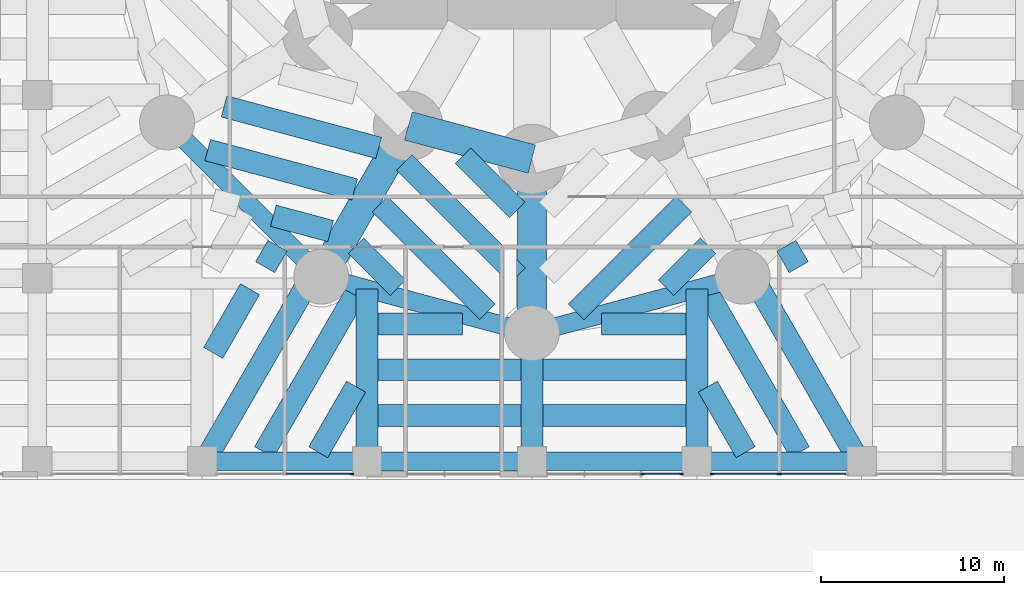
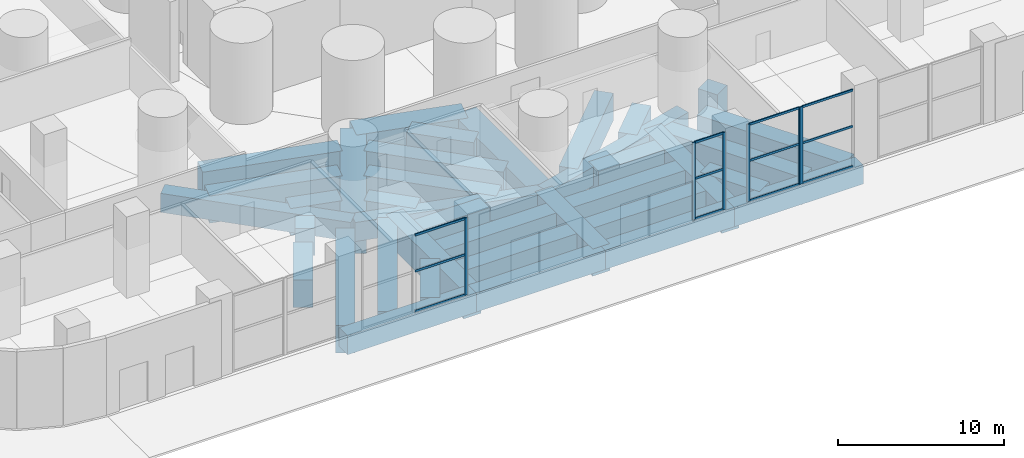
# One storey, part 4 of 20: 37 beams, 18 members, 4 elements without a shape of their own.
"""IFC4 building model written with IfcOpenShell, lengths in metres."""

from ifc_helpers import new_model, si_unit, direction, frame, origin, origin_2d, place, context, subcontext, project, spatial, rectangle, extrude, material, material_profile, profile_set, type_object, element, aggregate, save


model = new_model("IFC4")

# Units and contexts
model_context = context("Model", 3, precision=1e-05, world=origin(), true_north=direction((0.0, 1.0)))
body_context = subcontext(model_context, "Body", "Model", "MODEL_VIEW")
ifc_project = project(units=[si_unit("LENGTHUNIT", "METRE"), si_unit("AREAUNIT", "SQUARE_METRE"), si_unit("VOLUMEUNIT", "CUBIC_METRE"), si_unit("PLANEANGLEUNIT", "RADIAN"), si_unit("MASSUNIT", "GRAM", prefix="KILO")], contexts=[model_context])

# Site, building, storey
site_placement = place(None, origin())
site = spatial("IfcSite", under=ifc_project, at=site_placement, CompositionType="ELEMENT")
building_placement = place(site_placement, origin())
building = spatial("IfcBuilding", under=site, at=building_placement, Name="Qaws Media Tower", CompositionType="ELEMENT")
storey_placement = place(building_placement, origin())
storey = spatial("IfcBuildingStorey", under=building, at=storey_placement, Name="L00", CompositionType="ELEMENT", Elevation=0.0)

# Curtain wall, member
ifc_material_1 = material(Name="Aluminium and clear glass", Category="aluminium")
curtain_wall_type = type_object("IfcCurtainWallType", Name="Podium shopfront CW-P", PredefinedType="NOTDEFINED", material=ifc_material_1)
curtain_wall_1_placement = place(storey_placement, origin())
curtain_wall_1 = element("IfcCurtainWall", 1, at=curtain_wall_1_placement, inside=storey, type_object=curtain_wall_type, Name="CWP shopfront L00 S5", PredefinedType="NOTDEFINED")
ifc_material_2 = material(Name="Aluminium mullion", Category="aluminium")
ifc_material_profile_1 = material_profile(ifc_material_2, rectangle(XDim=0.080078125, YDim=0.199951171875, at=origin_2d()), Name="80x200")
ifc_profile_set_1 = profile_set([ifc_material_profile_1], Name="Aluminium mullion")
member_type_1 = type_object("IfcMemberType", Name="Curtain wall mullion 80x200", PredefinedType="MULLION", material=ifc_profile_set_1)
member_1_placement = place(storey_placement, frame((50.159912109375, 19.300048828125, 0.0), z_axis=(0.0, 0.0, 1.0), x_axis=(0.0, 1.0, 0.0)))
member_1 = element("IfcMember", 2, at=member_1_placement, type_object=member_type_1, Name="CWP mullion 2", PredefinedType="MULLION", context=body_context, shape_type="SweptSolid", body=[
    extrude(rectangle(XDim=0.080078125, YDim=0.199951171875, at=origin_2d()), origin(), (0.0, 0.0, 1.0), 5.699951171875),
])

# Curtain wall, members
curtain_wall_2_placement = place(storey_placement, origin())
curtain_wall_2 = element("IfcCurtainWall", 3, at=curtain_wall_2_placement, inside=storey, type_object=curtain_wall_type, Name="CWP shopfront L00 S7", PredefinedType="NOTDEFINED")
member_2_placement = place(storey_placement, frame((66.0400390625, 19.300048828125, 0.0), z_axis=(0.0, 0.0, 1.0), x_axis=(0.0, 1.0, 0.0)))
member_2 = element("IfcMember", 4, at=member_2_placement, type_object=member_type_1, Name="CWP mullion 1", PredefinedType="MULLION", context=body_context, shape_type="SweptSolid", body=[
    extrude(rectangle(XDim=0.080078125, YDim=0.199951171875, at=origin_2d()), origin(), (0.0, 0.0, 1.0), 5.699951171875),
])
member_3_placement = place(storey_placement, frame((68.159912109375, 19.300048828125, 0.0), z_axis=(0.0, 0.0, 1.0), x_axis=(0.0, 1.0, 0.0)))
member_3 = element("IfcMember", 5, at=member_3_placement, type_object=member_type_1, Name="CWP mullion 2", PredefinedType="MULLION", context=body_context, shape_type="SweptSolid", body=[
    extrude(rectangle(XDim=0.080078125, YDim=0.199951171875, at=origin_2d()), origin(), (0.0, 0.0, 1.0), 5.699951171875),
])

curtain_wall_3_placement = place(storey_placement, origin())
curtain_wall_3 = element("IfcCurtainWall", 6, at=curtain_wall_3_placement, inside=storey, type_object=curtain_wall_type, Name="CWP shopfront L00 S8", PredefinedType="NOTDEFINED")
member_4_placement = place(storey_placement, frame((69.840087890625, 19.300048828125, 0.0), z_axis=(0.0, 0.0, 1.0), x_axis=(0.0, 1.0, 0.0)))
member_4 = element("IfcMember", 7, at=member_4_placement, type_object=member_type_1, Name="CWP mullion 1", PredefinedType="MULLION", context=body_context, shape_type="SweptSolid", body=[
    extrude(rectangle(XDim=0.080078125, YDim=0.199951171875, at=origin_2d()), origin(), (0.0, 0.0, 1.0), 5.699951171875),
])
member_5_placement = place(storey_placement, frame((73.4599609375, 19.300048828125, 0.0), z_axis=(0.0, 0.0, 1.0), x_axis=(0.0, 1.0, 0.0)))
member_5 = element("IfcMember", 8, at=member_5_placement, type_object=member_type_1, Name="CWP mullion 2", PredefinedType="MULLION", context=body_context, shape_type="SweptSolid", body=[
    extrude(rectangle(XDim=0.080078125, YDim=0.199951171875, at=origin_2d()), origin(), (0.0, 0.0, 1.0), 5.699951171875),
])

# Curtain wall, member
curtain_wall_4_placement = place(storey_placement, origin())
curtain_wall_4 = element("IfcCurtainWall", 9, at=curtain_wall_4_placement, inside=storey, type_object=curtain_wall_type, Name="CWP shopfront L00 S9", PredefinedType="NOTDEFINED")
member_6_placement = place(storey_placement, frame((73.5400390625, 19.300048828125, 0.0), z_axis=(0.0, 0.0, 1.0), x_axis=(0.0, 1.0, 0.0)))
member_6 = element("IfcMember", 10, at=member_6_placement, type_object=member_type_1, Name="CWP mullion 1", PredefinedType="MULLION", context=body_context, shape_type="SweptSolid", body=[
    extrude(rectangle(XDim=0.080078125, YDim=0.199951171875, at=origin_2d()), origin(), (0.0, 0.0, 1.0), 5.699951171875),
])

# Member
ifc_material_3 = material(Name="Aluminium transom", Category="aluminium")
ifc_material_profile_2 = material_profile(ifc_material_3, rectangle(XDim=0.080078125, YDim=0.159912109375, at=origin_2d()), Name="80x160")
ifc_profile_set_2 = profile_set([ifc_material_profile_2], Name="Aluminium transom")
member_type_2 = type_object("IfcMemberType", Name="Curtain wall transom 80x160", PredefinedType="USERDEFINED", material=ifc_profile_set_2)
member_7_placement = place(storey_placement, frame((46.580078125, 19.300048828125, 0.0400390625), z_axis=(1.0, 0.0, 0.0), x_axis=(0.0, 1.0, 0.0)))
member_7 = element("IfcMember", 11, at=member_7_placement, type_object=member_type_2, Name="CWP transom 1.1", ObjectType="TRANSOM", PredefinedType="USERDEFINED", context=body_context, shape_type="SweptSolid", body=[
    extrude(rectangle(XDim=0.080078125, YDim=0.159912109375, at=origin_2d()), origin(), (0.0, 0.0, 1.0), 3.5400390625),
])

member_8_placement = place(storey_placement, frame((46.580078125, 19.300048828125, 3.0), z_axis=(1.0, 0.0, 0.0), x_axis=(0.0, 1.0, 0.0)))
member_8 = element("IfcMember", 12, at=member_8_placement, type_object=member_type_2, Name="CWP transom 1.2", ObjectType="TRANSOM", PredefinedType="USERDEFINED", context=body_context, shape_type="SweptSolid", body=[
    extrude(rectangle(XDim=0.080078125, YDim=0.159912109375, at=origin_2d()), origin(), (0.0, 0.0, 1.0), 3.5400390625),
])

member_9_placement = place(storey_placement, frame((46.580078125, 19.300048828125, 5.659912109375), z_axis=(1.0, 0.0, 0.0), x_axis=(0.0, 1.0, 0.0)))
member_9 = element("IfcMember", 13, at=member_9_placement, type_object=member_type_2, Name="CWP transom 1.3", ObjectType="TRANSOM", PredefinedType="USERDEFINED", context=body_context, shape_type="SweptSolid", body=[
    extrude(rectangle(XDim=0.080078125, YDim=0.159912109375, at=origin_2d()), origin(), (0.0, 0.0, 1.0), 3.5400390625),
])

aggregate(curtain_wall_1, [member_1, member_7, member_8, member_9])

member_10_placement = place(storey_placement, frame((66.080078125, 19.300048828125, 0.0400390625), z_axis=(1.0, 0.0, 0.0), x_axis=(0.0, 1.0, 0.0)))
member_10 = element("IfcMember", 14, at=member_10_placement, type_object=member_type_2, Name="CWP transom 1.1", ObjectType="TRANSOM", PredefinedType="USERDEFINED", context=body_context, shape_type="SweptSolid", body=[
    extrude(rectangle(XDim=0.080078125, YDim=0.159912109375, at=origin_2d()), origin(), (0.0, 0.0, 1.0), 2.0400390625),
])

member_11_placement = place(storey_placement, frame((66.080078125, 19.300048828125, 3.0), z_axis=(1.0, 0.0, 0.0), x_axis=(0.0, 1.0, 0.0)))
member_11 = element("IfcMember", 15, at=member_11_placement, type_object=member_type_2, Name="CWP transom 1.2", ObjectType="TRANSOM", PredefinedType="USERDEFINED", context=body_context, shape_type="SweptSolid", body=[
    extrude(rectangle(XDim=0.080078125, YDim=0.159912109375, at=origin_2d()), origin(), (0.0, 0.0, 1.0), 2.0400390625),
])

member_12_placement = place(storey_placement, frame((66.080078125, 19.300048828125, 5.659912109375), z_axis=(1.0, 0.0, 0.0), x_axis=(0.0, 1.0, 0.0)))
member_12 = element("IfcMember", 16, at=member_12_placement, type_object=member_type_2, Name="CWP transom 1.3", ObjectType="TRANSOM", PredefinedType="USERDEFINED", context=body_context, shape_type="SweptSolid", body=[
    extrude(rectangle(XDim=0.080078125, YDim=0.159912109375, at=origin_2d()), origin(), (0.0, 0.0, 1.0), 2.0400390625),
])

aggregate(curtain_wall_2, [member_2, member_3, member_10, member_11, member_12])

member_13_placement = place(storey_placement, frame((69.8798828125, 19.300048828125, 0.0400390625), z_axis=(1.0, 0.0, 0.0), x_axis=(0.0, 1.0, 0.0)))
member_13 = element("IfcMember", 17, at=member_13_placement, type_object=member_type_2, Name="CWP transom 1.1", ObjectType="TRANSOM", PredefinedType="USERDEFINED", context=body_context, shape_type="SweptSolid", body=[
    extrude(rectangle(XDim=0.080078125, YDim=0.159912109375, at=origin_2d()), origin(), (0.0, 0.0, 1.0), 3.5400390625),
])

member_14_placement = place(storey_placement, frame((69.8798828125, 19.300048828125, 3.0), z_axis=(1.0, 0.0, 0.0), x_axis=(0.0, 1.0, 0.0)))
member_14 = element("IfcMember", 18, at=member_14_placement, type_object=member_type_2, Name="CWP transom 1.2", ObjectType="TRANSOM", PredefinedType="USERDEFINED", context=body_context, shape_type="SweptSolid", body=[
    extrude(rectangle(XDim=0.080078125, YDim=0.159912109375, at=origin_2d()), origin(), (0.0, 0.0, 1.0), 3.5400390625),
])

member_15_placement = place(storey_placement, frame((69.8798828125, 19.300048828125, 5.659912109375), z_axis=(1.0, 0.0, 0.0), x_axis=(0.0, 1.0, 0.0)))
member_15 = element("IfcMember", 19, at=member_15_placement, type_object=member_type_2, Name="CWP transom 1.3", ObjectType="TRANSOM", PredefinedType="USERDEFINED", context=body_context, shape_type="SweptSolid", body=[
    extrude(rectangle(XDim=0.080078125, YDim=0.159912109375, at=origin_2d()), origin(), (0.0, 0.0, 1.0), 3.5400390625),
])

aggregate(curtain_wall_3, [member_4, member_5, member_13, member_14, member_15])

member_16_placement = place(storey_placement, frame((73.580078125, 19.300048828125, 0.0400390625), z_axis=(1.0, 0.0, 0.0), x_axis=(0.0, 1.0, 0.0)))
member_16 = element("IfcMember", 20, at=member_16_placement, type_object=member_type_2, Name="CWP transom 1.1", ObjectType="TRANSOM", PredefinedType="USERDEFINED", context=body_context, shape_type="SweptSolid", body=[
    extrude(rectangle(XDim=0.080078125, YDim=0.159912109375, at=origin_2d()), origin(), (0.0, 0.0, 1.0), 3.5400390625),
])

member_17_placement = place(storey_placement, frame((73.580078125, 19.300048828125, 3.0), z_axis=(1.0, 0.0, 0.0), x_axis=(0.0, 1.0, 0.0)))
member_17 = element("IfcMember", 21, at=member_17_placement, type_object=member_type_2, Name="CWP transom 1.2", ObjectType="TRANSOM", PredefinedType="USERDEFINED", context=body_context, shape_type="SweptSolid", body=[
    extrude(rectangle(XDim=0.080078125, YDim=0.159912109375, at=origin_2d()), origin(), (0.0, 0.0, 1.0), 3.5400390625),
])

member_18_placement = place(storey_placement, frame((73.580078125, 19.300048828125, 5.659912109375), z_axis=(1.0, 0.0, 0.0), x_axis=(0.0, 1.0, 0.0)))
member_18 = element("IfcMember", 22, at=member_18_placement, type_object=member_type_2, Name="CWP transom 1.3", ObjectType="TRANSOM", PredefinedType="USERDEFINED", context=body_context, shape_type="SweptSolid", body=[
    extrude(rectangle(XDim=0.080078125, YDim=0.159912109375, at=origin_2d()), origin(), (0.0, 0.0, 1.0), 3.5400390625),
])

aggregate(curtain_wall_4, [member_6, member_16, member_17, member_18])

# Beams
ifc_material_4 = material(Name="Concrete C60/75", Category="concrete")
ifc_material_profile_3 = material_profile(ifc_material_4, rectangle(XDim=1.0, YDim=1.39990234375, at=origin_2d()), Name="RC 1000x1400")
ifc_profile_set_3 = profile_set([ifc_material_profile_3], Name="Concrete C60/75")
beam_type_1 = type_object("IfcBeamType", Name="Podium edge beam RC 1000x1400", PredefinedType="BEAM", material=ifc_profile_set_3)
for number, where, z_axis, x_axis, name in (
    (23, (40.081298828125, 38.5, -1.0), (0.707106781187, -0.707106781187, 0.0), (0.707106781187, 0.707106781187, 0.0), "PB3 beam M08-M09"),
    (24, (48.5, 30.081298828125, -1.0), (0.965928280645, -0.258809885148, 0.0), (0.258809885148, 0.965928280645, 0.0), "PB3 beam M09-M10"),
    (25, (60.0, 27.0, -1.0), (0.965928280645, 0.258809885148, 0.0), (-0.258809885148, 0.965928280645, 0.0), "PB3 beam M10-M11"),
):
    element("IfcBeam", number, at=place(storey_placement, frame(where, z_axis=z_axis, x_axis=x_axis)), inside=storey, type_object=beam_type_1, Name=name, PredefinedType="BEAM", context=body_context, shape_type="SweptSolid", body=[
        extrude(rectangle(XDim=1.0, YDim=1.39990234375, at=origin_2d()), origin(), (0.0, 0.0, 1.0), 11.90576171875),
    ])
ifc_material_5 = material(Name="Concrete C60/75", Category="concrete")
ifc_material_profile_4 = material_profile(ifc_material_5, rectangle(XDim=1.0, YDim=1.39990234375, at=origin_2d()), Name="RC 1000x1400")
ifc_profile_set_4 = profile_set([ifc_material_profile_4], Name="Concrete C60/75")
beam_type_2 = type_object("IfcBeamType", Name="Podium girder RC 1000x1400", PredefinedType="BEAM", material=ifc_profile_set_4)
for number, where, z_axis, x_axis, name in (
    (26, (42.0, 20.0, -1.0), (1.0, 0.0, 0.0), (0.0, 1.0, 0.0), "PB5 beam 4-5/A"),
    (27, (51.0, 20.0, -1.0), (1.0, 0.0, 0.0), (0.0, 1.0, 0.0), "PB5 beam 5-6/A"),
    (28, (60.0, 20.0, -1.0), (1.0, 0.0, 0.0), (0.0, 1.0, 0.0), "PB5 beam 6-7/A"),
    (29, (69.0, 20.0, -1.0), (1.0, 0.0, 0.0), (0.0, 1.0, 0.0), "PB5 beam 7-8/A"),
):
    element("IfcBeam", number, at=place(storey_placement, frame(where, z_axis=z_axis, x_axis=x_axis)), inside=storey, type_object=beam_type_2, Name=name, PredefinedType="BEAM", context=body_context, shape_type="SweptSolid", body=[
        extrude(rectangle(XDim=1.0, YDim=1.39990234375, at=origin_2d()), origin(), (0.0, 0.0, 1.0), 9.0),
    ])
ifc_material_6 = material(Name="Concrete C60/75", Category="concrete")
ifc_material_profile_5 = material_profile(ifc_material_6, rectangle(XDim=1.199951171875, YDim=2.0, at=origin_2d()), Name="RC 1200x2000")
ifc_profile_set_5 = profile_set([ifc_material_profile_5], Name="Concrete C60/75")
beam_type_3 = type_object("IfcBeamType", Name="Podium secondary beam RC 1200x2000", PredefinedType="BEAM", material=ifc_profile_set_5)
beam_1_placement = place(storey_placement, frame((48.333984375, 20.5, -1.300048828125), z_axis=(0.499990122378, 0.866031106557, 0.0), x_axis=(-0.866031106557, 0.499990122378, 0.0)))
element("IfcBeam", 30, at=beam_1_placement, inside=storey, type_object=beam_type_3, Name="PB7 beam bay 4A line 1", PredefinedType="BEAM", context=body_context, shape_type="SweptSolid", body=[
    extrude(rectangle(XDim=1.199951171875, YDim=2.0, at=origin_2d()), origin(), (0.0, 0.0, 1.0), 4.1318359375),
])
beam_2_placement = place(storey_placement, frame((45.37939453125, 20.5, -1.300048828125), z_axis=(0.499992846816, 0.866029533637, 0.0), x_axis=(-0.866029533637, 0.499992846816, 0.0)))
element("IfcBeam", 31, at=beam_2_placement, inside=storey, type_object=beam_type_3, Name="PB7 beam bay 4A line 2", PredefinedType="BEAM", context=body_context, shape_type="SweptSolid", body=[
    extrude(rectangle(XDim=1.199951171875, YDim=2.0, at=origin_2d()), origin(), (0.0, 0.0, 1.0), 9.900146484375),
])
beam_3_placement = place(storey_placement, frame((42.424560546875, 20.5, -1.300048828125), z_axis=(0.500004869266, 0.866022592494, 0.0), x_axis=(-0.866022592494, 0.500004869266, 0.0)))
element("IfcBeam", 32, at=beam_3_placement, inside=storey, type_object=beam_type_3, Name="PB7 beam bay 4A line 3", PredefinedType="BEAM", context=body_context, shape_type="SweptSolid", body=[
    extrude(rectangle(XDim=1.199951171875, YDim=2.0, at=origin_2d()), origin(), (0.0, 0.0, 1.0), 10.27685546875),
])
beam_4_placement = place(storey_placement, frame((42.60009765625, 25.921630859375, -1.300048828125), z_axis=(0.500022371132, 0.86601248742, 0.0), x_axis=(-0.86601248742, 0.500022371132, 0.0)))
element("IfcBeam", 33, at=beam_4_placement, inside=storey, type_object=beam_type_3, Name="PB7 beam bay 4A line 4", PredefinedType="BEAM", context=body_context, shape_type="SweptSolid", body=[
    extrude(rectangle(XDim=1.199951171875, YDim=2.0, at=origin_2d()), origin(), (0.0, 0.0, 1.0), 4.016357421875),
])
beam_5_placement = place(storey_placement, frame((45.43701171875, 30.60009765625, -1.300048828125), z_axis=(0.500062873969, 0.865989100438, 0.0), x_axis=(-0.865989100438, 0.500062873969, 0.0)))
element("IfcBeam", 34, at=beam_5_placement, inside=storey, type_object=beam_type_3, Name="PB7 beam bay 4B line 1", PredefinedType="BEAM", context=body_context, shape_type="SweptSolid", body=[
    extrude(rectangle(XDim=1.199951171875, YDim=2.0, at=origin_2d()), origin(), (0.0, 0.0, 1.0), 1.344970703125),
])
for number, where, z_axis, x_axis, name in (
    (35, (51.60009765625, 22.5, -1.300048828125), (1.0, 0.0, 0.0), (0.0, 1.0, 0.0), "PB7 beam bay 5A line 1"),
    (36, (51.60009765625, 25.0, -1.300048828125), (1.0, 0.0, 0.0), (0.0, 1.0, 0.0), "PB7 beam bay 5A line 2"),
):
    element("IfcBeam", number, at=place(storey_placement, frame(where, z_axis=z_axis, x_axis=x_axis)), inside=storey, type_object=beam_type_3, Name=name, PredefinedType="BEAM", context=body_context, shape_type="SweptSolid", body=[
        extrude(rectangle(XDim=1.199951171875, YDim=2.0, at=origin_2d()), origin(), (0.0, 0.0, 1.0), 7.7998046875),
    ])
beam_6_placement = place(storey_placement, frame((51.60009765625, 27.5, -1.300048828125), z_axis=(1.0, 0.0, 0.0), x_axis=(0.0, 1.0, 0.0)))
element("IfcBeam", 37, at=beam_6_placement, inside=storey, type_object=beam_type_3, Name="PB7 beam bay 5A line 3", PredefinedType="BEAM", context=body_context, shape_type="SweptSolid", body=[
    extrude(rectangle(XDim=1.199951171875, YDim=2.0, at=origin_2d()), origin(), (0.0, 0.0, 1.0), 4.60205078125),
])
for number, where, z_axis, x_axis, name in (
    (38, (60.60009765625, 22.5, -1.300048828125), (1.0, 0.0, 0.0), (0.0, 1.0, 0.0), "PB7 beam bay 6A line 1"),
    (39, (60.60009765625, 25.0, -1.300048828125), (1.0, 0.0, 0.0), (0.0, 1.0, 0.0), "PB7 beam bay 6A line 2"),
):
    element("IfcBeam", number, at=place(storey_placement, frame(where, z_axis=z_axis, x_axis=x_axis)), inside=storey, type_object=beam_type_3, Name=name, PredefinedType="BEAM", context=body_context, shape_type="SweptSolid", body=[
        extrude(rectangle(XDim=1.199951171875, YDim=2.0, at=origin_2d()), origin(), (0.0, 0.0, 1.0), 7.7998046875),
    ])
beam_7_placement = place(storey_placement, frame((63.7978515625, 27.5, -1.300048828125), z_axis=(1.0, 0.0, 0.0), x_axis=(0.0, 1.0, 0.0)))
element("IfcBeam", 40, at=beam_7_placement, inside=storey, type_object=beam_type_3, Name="PB7 beam bay 6A line 3", PredefinedType="BEAM", context=body_context, shape_type="SweptSolid", body=[
    extrude(rectangle(XDim=1.199951171875, YDim=2.0, at=origin_2d()), origin(), (0.0, 0.0, 1.0), 4.60205078125),
])
beam_8_placement = place(storey_placement, frame((77.575439453125, 20.5, -1.300048828125), z_axis=(-0.500004869266, 0.866022592494, 0.0), x_axis=(-0.866022592494, -0.500004869266, 0.0)))
element("IfcBeam", 41, at=beam_8_placement, inside=storey, type_object=beam_type_3, Name="PB7 beam bay 7A line 2", PredefinedType="BEAM", context=body_context, shape_type="SweptSolid", body=[
    extrude(rectangle(XDim=1.199951171875, YDim=2.0, at=origin_2d()), origin(), (0.0, 0.0, 1.0), 10.27685546875),
])
beam_9_placement = place(storey_placement, frame((74.62060546875, 20.5, -1.300048828125), z_axis=(-0.499992846816, 0.866029533637, 0.0), x_axis=(-0.866029533637, -0.499992846816, 0.0)))
element("IfcBeam", 42, at=beam_9_placement, inside=storey, type_object=beam_type_3, Name="PB7 beam bay 7A line 3", PredefinedType="BEAM", context=body_context, shape_type="SweptSolid", body=[
    extrude(rectangle(XDim=1.199951171875, YDim=2.0, at=origin_2d()), origin(), (0.0, 0.0, 1.0), 9.900146484375),
])
beam_10_placement = place(storey_placement, frame((71.666015625, 20.5, -1.300048828125), z_axis=(-0.499990122378, 0.866031106557, 0.0), x_axis=(-0.866031106557, -0.499990122378, 0.0)))
element("IfcBeam", 43, at=beam_10_placement, inside=storey, type_object=beam_type_3, Name="PB7 beam bay 7A line 4", PredefinedType="BEAM", context=body_context, shape_type="SweptSolid", body=[
    extrude(rectangle(XDim=1.199951171875, YDim=2.0, at=origin_2d()), origin(), (0.0, 0.0, 1.0), 4.1318359375),
])
beam_11_placement = place(storey_placement, frame((74.56298828125, 30.60009765625, -1.300048828125), z_axis=(-0.500062873969, 0.865989100438, 0.0), x_axis=(-0.865989100438, -0.500062873969, 0.0)))
element("IfcBeam", 44, at=beam_11_placement, inside=storey, type_object=beam_type_3, Name="PB7 beam bay 7B line 2", PredefinedType="BEAM", context=body_context, shape_type="SweptSolid", body=[
    extrude(rectangle(XDim=1.199951171875, YDim=2.0, at=origin_2d()), origin(), (0.0, 0.0, 1.0), 1.344970703125),
])
beam_12_placement = place(storey_placement, frame((51.63525390625, 37.11181640625, -1.300048828125), z_axis=(-0.965926352771, 0.258817080236, 0.0), x_axis=(-0.258817080236, -0.965926352771, 0.0)))
element("IfcBeam", 45, at=beam_12_placement, inside=storey, type_object=beam_type_3, Name="PB7 beam bay T08 line 2", PredefinedType="BEAM", context=body_context, shape_type="SweptSolid", body=[
    extrude(rectangle(XDim=1.199951171875, YDim=2.0, at=origin_2d()), origin(), (0.0, 0.0, 1.0), 8.73876953125),
])
beam_13_placement = place(storey_placement, frame((50.323486328125, 34.83984375, -1.300048828125), z_axis=(-0.965929425695, 0.258805611564, 0.0), x_axis=(-0.258805611564, -0.965929425695, 0.0)))
element("IfcBeam", 46, at=beam_13_placement, inside=storey, type_object=beam_type_3, Name="PB7 beam bay T08 line 3", PredefinedType="BEAM", context=body_context, shape_type="SweptSolid", body=[
    extrude(rectangle(XDim=1.199951171875, YDim=2.0, at=origin_2d()), origin(), (0.0, 0.0, 1.0), 8.307861328125),
])
beam_14_placement = place(storey_placement, frame((49.01171875, 32.56787109375, -1.300048828125), z_axis=(-0.965936615722, 0.258778775034, 0.0), x_axis=(-0.258778775034, -0.965936615722, 0.0)))
element("IfcBeam", 47, at=beam_14_placement, inside=storey, type_object=beam_type_3, Name="PB7 beam bay T08 line 4", PredefinedType="BEAM", context=body_context, shape_type="SweptSolid", body=[
    extrude(rectangle(XDim=1.199951171875, YDim=2.0, at=origin_2d()), origin(), (0.0, 0.0, 1.0), 3.23974609375),
])
beam_15_placement = place(storey_placement, frame((59.199951171875, 33.71630859375, -1.300048828125), z_axis=(-0.707106781187, 0.707106781187, 0.0), x_axis=(-0.707106781187, -0.707106781187, 0.0)))
element("IfcBeam", 48, at=beam_15_placement, inside=storey, type_object=beam_type_3, Name="PB7 beam bay T09 line 1", PredefinedType="BEAM", context=body_context, shape_type="SweptSolid", body=[
    extrude(rectangle(XDim=1.199951171875, YDim=2.0, at=origin_2d()), origin(), (0.0, 0.0, 1.0), 4.19189453125),
])
beam_16_placement = place(storey_placement, frame((59.199951171875, 30.132568359375, -1.300048828125), z_axis=(-0.707106781187, 0.707106781187, 0.0), x_axis=(-0.707106781187, -0.707106781187, 0.0)))
element("IfcBeam", 49, at=beam_16_placement, inside=storey, type_object=beam_type_3, Name="PB7 beam bay T09 line 2", PredefinedType="BEAM", context=body_context, shape_type="SweptSolid", body=[
    extrude(rectangle(XDim=1.199951171875, YDim=2.0, at=origin_2d()), origin(), (0.0, 0.0, 1.0), 8.73876953125),
])
beam_17_placement = place(storey_placement, frame((57.583740234375, 28.1650390625, -1.300048828125), z_axis=(-0.707106781187, 0.707106781187, 0.0), x_axis=(-0.707106781187, -0.707106781187, 0.0)))
element("IfcBeam", 50, at=beam_17_placement, inside=storey, type_object=beam_type_3, Name="PB7 beam bay T09 line 3", PredefinedType="BEAM", context=body_context, shape_type="SweptSolid", body=[
    extrude(rectangle(XDim=1.199951171875, YDim=2.0, at=origin_2d()), origin(), (0.0, 0.0, 1.0), 8.30810546875),
])
for number, where, z_axis, x_axis, name in (
    (51, (52.688232421875, 29.476806640625, -1.300048828125), (-0.707069101983, 0.707144458383, 0.0), (-0.707144458383, -0.707069101983, 0.0), "PB7 beam bay T09 line 4"),
    (52, (67.311767578125, 29.476806640625, -1.300048828125), (0.707069101983, 0.707144458383, 0.0), (-0.707144458383, 0.707069101983, 0.0), "PB7 beam bay T10 line 1"),
):
    element("IfcBeam", number, at=place(storey_placement, frame(where, z_axis=z_axis, x_axis=x_axis)), inside=storey, type_object=beam_type_3, Name=name, PredefinedType="BEAM", context=body_context, shape_type="SweptSolid", body=[
        extrude(rectangle(XDim=1.199951171875, YDim=2.0, at=origin_2d()), origin(), (0.0, 0.0, 1.0), 3.23974609375),
    ])
beam_18_placement = place(storey_placement, frame((62.416259765625, 28.1650390625, -1.300048828125), z_axis=(0.707106781187, 0.707106781187, 0.0), x_axis=(-0.707106781187, 0.707106781187, 0.0)))
element("IfcBeam", 53, at=beam_18_placement, inside=storey, type_object=beam_type_3, Name="PB7 beam bay T10 line 2", PredefinedType="BEAM", context=body_context, shape_type="SweptSolid", body=[
    extrude(rectangle(XDim=1.199951171875, YDim=2.0, at=origin_2d()), origin(), (0.0, 0.0, 1.0), 8.30810546875),
])
ifc_material_7 = material(Name="Concrete C60/75", Category="concrete")
ifc_material_profile_6 = material_profile(ifc_material_7, rectangle(XDim=1.60009765625, YDim=2.60009765625, at=origin_2d()), Name="RC 1600x2600")
ifc_profile_set_6 = profile_set([ifc_material_profile_6], Name="Concrete C60/75")
beam_type_4 = type_object("IfcBeamType", Name="Podium tower beam RC 1600x2600", PredefinedType="BEAM", material=ifc_profile_set_6)
beam_19_placement = place(storey_placement, frame((53.25, 38.30859375, -1.60009765625), z_axis=(-0.499997557548, -0.86602681393, 0.0), x_axis=(0.86602681393, -0.499997557548, 0.0)))
element("IfcBeam", 54, at=beam_19_placement, inside=storey, type_object=beam_type_4, Name="PB9 beam I09-M09", PredefinedType="BEAM", context=body_context, shape_type="SweptSolid", body=[
    extrude(rectangle(XDim=1.60009765625, YDim=2.60009765625, at=origin_2d()), origin(), (0.0, 0.0, 1.0), 9.5),
])
beam_20_placement = place(storey_placement, frame((53.25, 38.30859375, -1.60009765625), z_axis=(0.965928090778, -0.258810593767, 0.0), x_axis=(0.258810593767, 0.965928090778, 0.0)))
element("IfcBeam", 55, at=beam_20_placement, inside=storey, type_object=beam_type_4, Name="PB9 beam I09-I10", PredefinedType="BEAM", context=body_context, shape_type="SweptSolid", body=[
    extrude(rectangle(XDim=1.60009765625, YDim=2.60009765625, at=origin_2d()), origin(), (0.0, 0.0, 1.0), 6.988037109375),
])
beam_21_placement = place(storey_placement, frame((60.0, 36.5, -1.60009765625), z_axis=(0.0, -1.0, 0.0), x_axis=(1.0, 0.0, 0.0)))
element("IfcBeam", 56, at=beam_21_placement, inside=storey, type_object=beam_type_4, Name="PB9 beam I10-M10", PredefinedType="BEAM", context=body_context, shape_type="SweptSolid", body=[
    extrude(rectangle(XDim=1.60009765625, YDim=2.60009765625, at=origin_2d()), origin(), (0.0, 0.0, 1.0), 9.5),
])
ifc_material_8 = material(Name="Concrete C60/75", Category="concrete")
ifc_material_profile_7 = material_profile(ifc_material_8, rectangle(XDim=1.199951171875, YDim=2.0, at=origin_2d()), Name="RC 1200x2000")
ifc_profile_set_7 = profile_set([ifc_material_profile_7], Name="Concrete C60/75")
beam_type_5 = type_object("IfcBeamType", Name="Podium trimmer beam RC 1200x2000", PredefinedType="BEAM", material=ifc_profile_set_7)
beam_22_placement = place(storey_placement, frame((51.0, 20.0, -1.300048828125), z_axis=(0.0, 1.0, 0.0), x_axis=(-1.0, 0.0, 0.0)))
element("IfcBeam", 57, at=beam_22_placement, inside=storey, type_object=beam_type_5, Name="PB4 beam 5/A to the tower ring", PredefinedType="BEAM", context=body_context, shape_type="SweptSolid", body=[
    extrude(rectangle(XDim=1.199951171875, YDim=2.0, at=origin_2d()), origin(), (0.0, 0.0, 1.0), 9.41162109375),
])
beam_23_placement = place(storey_placement, frame((60.0, 20.0, -1.300048828125), z_axis=(0.0, 1.0, 0.0), x_axis=(-1.0, 0.0, 0.0)))
element("IfcBeam", 58, at=beam_23_placement, inside=storey, type_object=beam_type_5, Name="PB4 beam 6/A to the tower ring", PredefinedType="BEAM", context=body_context, shape_type="SweptSolid", body=[
    extrude(rectangle(XDim=1.199951171875, YDim=2.0, at=origin_2d()), origin(), (0.0, 0.0, 1.0), 7.0),
])
beam_24_placement = place(storey_placement, frame((69.0, 20.0, -1.300048828125), z_axis=(0.0, 1.0, 0.0), x_axis=(-1.0, 0.0, 0.0)))
element("IfcBeam", 59, at=beam_24_placement, inside=storey, type_object=beam_type_5, Name="PB4 beam 7/A to the tower ring", PredefinedType="BEAM", context=body_context, shape_type="SweptSolid", body=[
    extrude(rectangle(XDim=1.199951171875, YDim=2.0, at=origin_2d()), origin(), (0.0, 0.0, 1.0), 9.41162109375),
])

save(model, "model.ifc")
